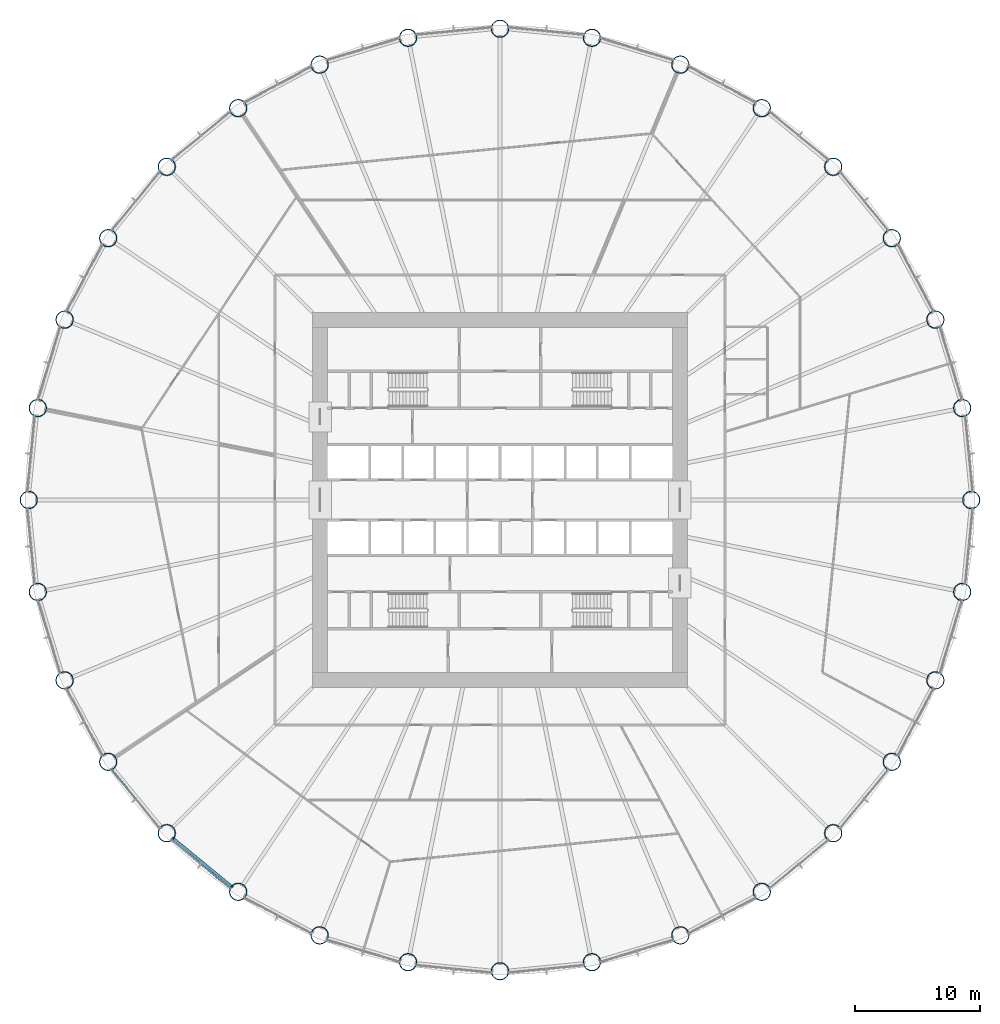
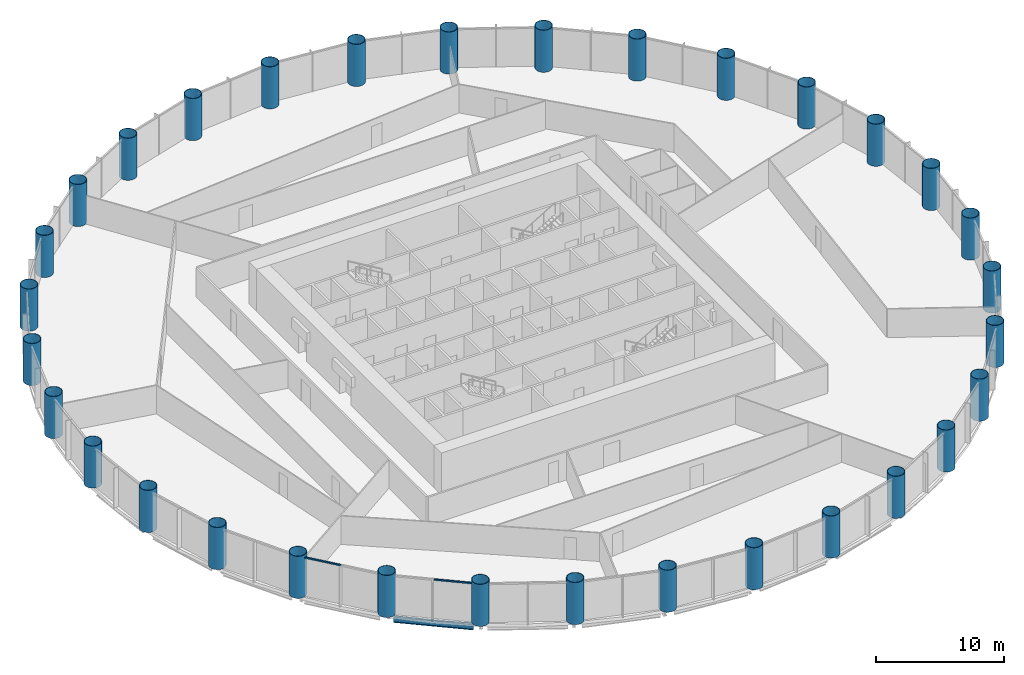
# One storey, part 1 of 14: 32 columns, 2 members, 1 beam, 2 elements without a shape of their own.
"""IFC4 building model written with IfcOpenShell, lengths in metres."""

from ifc_helpers import new_model, si_unit, direction, frame, origin, origin_2d, place, context, subcontext, project, spatial, rectangle, hollow_circle, i_section, extrude, material, material_profile, profile_set, type_object, element, aggregate, save


model = new_model("IFC4")

# Units and contexts
model_context = context("Model", 3, precision=1e-05, world=origin(), true_north=direction((0.0, 1.0)))
body_context = subcontext(model_context, "Body", "Model", "MODEL_VIEW")
ifc_project = project(units=[si_unit("LENGTHUNIT", "METRE"), si_unit("AREAUNIT", "SQUARE_METRE"), si_unit("VOLUMEUNIT", "CUBIC_METRE"), si_unit("PLANEANGLEUNIT", "RADIAN"), si_unit("MASSUNIT", "GRAM", prefix="KILO")], contexts=[model_context])

# Site, building, storey
site_placement = place(None, origin())
site = spatial("IfcSite", under=ifc_project, at=site_placement, CompositionType="ELEMENT")
building_placement = place(site_placement, origin())
building = spatial("IfcBuilding", under=site, at=building_placement, Name="Corvane Civic Tower", CompositionType="ELEMENT")
storey_placement = place(building_placement, frame((0.0, 0.0, 49.0)))
storey = spatial("IfcBuildingStorey", under=building, at=storey_placement, Name="L10", CompositionType="ELEMENT", Elevation=49.0)

# Columns
ifc_material_1 = material(Name="Steel ASTM A572 Gr 50", Category="steel")
ifc_material_profile_1 = material_profile(ifc_material_1, hollow_circle(Radius=0.699951171875, WallThickness=0.0400390625, at=origin_2d()), Name="CHS1400X40")
ifc_profile_set_1 = profile_set([ifc_material_profile_1], Name="Steel ASTM A572 Gr 50")
column_type = type_object("IfcColumnType", Name="COMPOSITE COLUMN CHS1400X40", PredefinedType="COLUMN", material=ifc_profile_set_1)
for number, where, z_axis, x_axis, name in (
    (1, (0.0, 37.699951171875, 0.0), (0.0, 0.0, 1.0), (1.0, 0.0, 0.0), "COL-L10-A01"),
    (2, (7.35498046875, 36.9755859375, 0.0), (0.0, 0.0, 1.0), (1.0, 0.0, 0.0), "COL-L10-A02"),
    (3, (14.42724609375, 34.830322265625, 0.0), (0.0, 0.0, 1.0), (1.0, 0.0, 0.0), "COL-L10-A03"),
    (4, (20.945068359375, 31.346435546875, 0.0), (0.0, 0.0, 1.0), (1.0, 0.0, 0.0), "COL-L10-A04"),
    (5, (26.657958984375, 26.657958984375, 0.0), (0.0, 0.0, 1.0), (1.0, 0.0, 0.0), "COL-L10-A05"),
    (6, (31.346435546875, 20.945068359375, 0.0), (0.0, 0.0, 1.0), (1.0, 0.0, 0.0), "COL-L10-A06"),
    (7, (34.830322265625, 14.42724609375, 0.0), (0.0, 0.0, 1.0), (1.0, 0.0, 0.0), "COL-L10-A07"),
    (8, (36.9755859375, 7.35498046875, 0.0), (0.0, 0.0, 1.0), (1.0, 0.0, 0.0), "COL-L10-A08"),
    (9, (37.699951171875, 0.0, 0.0), (0.0, 0.0, 1.0), (1.0, 0.0, 0.0), "COL-L10-A09"),
    (10, (36.9755859375, -7.35498046875, 0.0), (0.0, 0.0, 1.0), (1.0, 0.0, 0.0), "COL-L10-A10"),
    (11, (34.830322265625, -14.42724609375, 0.0), (0.0, 0.0, 1.0), (1.0, 0.0, 0.0), "COL-L10-A11"),
    (12, (31.346435546875, -20.945068359375, 0.0), (0.0, 0.0, 1.0), (1.0, 0.0, 0.0), "COL-L10-A12"),
    (13, (26.657958984375, -26.657958984375, 0.0), (0.0, 0.0, 1.0), (1.0, 0.0, 0.0), "COL-L10-A13"),
    (14, (20.945068359375, -31.346435546875, 0.0), (0.0, 0.0, 1.0), (1.0, 0.0, 0.0), "COL-L10-A14"),
    (15, (14.42724609375, -34.830322265625, 0.0), (0.0, 0.0, 1.0), (1.0, 0.0, 0.0), "COL-L10-A15"),
    (16, (7.35498046875, -36.9755859375, 0.0), (0.0, 0.0, 1.0), (1.0, 0.0, 0.0), "COL-L10-A16"),
    (17, (0.0, -37.699951171875, 0.0), (0.0, 0.0, 1.0), (1.0, 0.0, 0.0), "COL-L10-A17"),
    (18, (-7.35498046875, -36.9755859375, 0.0), (0.0, 0.0, 1.0), (1.0, 0.0, 0.0), "COL-L10-A18"),
    (19, (-14.42724609375, -34.830322265625, 0.0), (0.0, 0.0, 1.0), (1.0, 0.0, 0.0), "COL-L10-A19"),
    (20, (-20.945068359375, -31.346435546875, 0.0), (0.0, 0.0, 1.0), (1.0, 0.0, 0.0), "COL-L10-A20"),
    (21, (-26.657958984375, -26.657958984375, 0.0), (0.0, 0.0, 1.0), (1.0, 0.0, 0.0), "COL-L10-A21"),
    (22, (-31.346435546875, -20.945068359375, 0.0), (0.0, 0.0, 1.0), (1.0, 0.0, 0.0), "COL-L10-A22"),
    (23, (-34.830322265625, -14.42724609375, 0.0), (0.0, 0.0, 1.0), (1.0, 0.0, 0.0), "COL-L10-A23"),
    (24, (-36.9755859375, -7.35498046875, 0.0), (0.0, 0.0, 1.0), (1.0, 0.0, 0.0), "COL-L10-A24"),
    (25, (-37.699951171875, 0.0, 0.0), (0.0, 0.0, 1.0), (1.0, 0.0, 0.0), "COL-L10-A25"),
    (26, (-36.9755859375, 7.35498046875, 0.0), (0.0, 0.0, 1.0), (1.0, 0.0, 0.0), "COL-L10-A26"),
    (27, (-34.830322265625, 14.42724609375, 0.0), (0.0, 0.0, 1.0), (1.0, 0.0, 0.0), "COL-L10-A27"),
    (28, (-31.346435546875, 20.945068359375, 0.0), (0.0, 0.0, 1.0), (1.0, 0.0, 0.0), "COL-L10-A28"),
    (29, (-26.657958984375, 26.657958984375, 0.0), (0.0, 0.0, 1.0), (1.0, 0.0, 0.0), "COL-L10-A29"),
    (30, (-20.945068359375, 31.346435546875, 0.0), (0.0, 0.0, 1.0), (1.0, 0.0, 0.0), "COL-L10-A30"),
    (31, (-14.42724609375, 34.830322265625, 0.0), (0.0, 0.0, 1.0), (1.0, 0.0, 0.0), "COL-L10-A31"),
    (32, (-7.35498046875, 36.9755859375, 0.0), (0.0, 0.0, 1.0), (1.0, 0.0, 0.0), "COL-L10-A32"),
):
    element("IfcColumn", number, at=place(storey_placement, frame(where, z_axis=z_axis, x_axis=x_axis)), inside=storey, type_object=column_type, Name=name, PredefinedType="COLUMN", context=body_context, shape_type="SweptSolid", body=[
        extrude(hollow_circle(Radius=0.699951171875, WallThickness=0.0400390625, at=origin_2d()), origin(), (0.0, 0.0, 1.0), 4.0),
    ])

# Beam
ifc_material_2 = material(Name="Steel ASTM A992 Gr 50", Category="steel")
ifc_material_profile_2 = material_profile(ifc_material_2, i_section(OverallWidth=0.209228515625, OverallDepth=0.533447265625, WebThickness=0.01025390625, FlangeThickness=0.015625, at=origin_2d()), Name="W21X62")
ifc_profile_set_2 = profile_set([ifc_material_profile_2], Name="Steel ASTM A992 Gr 50")
beam_type = type_object("IfcBeamType", Name="EDGE BEAM W21X62", PredefinedType="BEAM", material=ifc_profile_set_2)
beam_placement = place(storey_placement, frame((-21.3701171875, -30.99755859375, -0.566650390625), z_axis=(-0.773015785286, 0.634386787141, 0.0), x_axis=(-0.634386787141, -0.773015785286, 0.0)))
element("IfcBeam", 33, at=beam_placement, inside=storey, type_object=beam_type, Name="BM-L10-E20", PredefinedType="BEAM", context=body_context, shape_type="SweptSolid", body=[
    extrude(i_section(OverallWidth=0.209228515625, OverallDepth=0.533447265625, WebThickness=0.01025390625, FlangeThickness=0.015625, at=origin_2d()), origin(), (0.0, 0.0, 1.0), 6.290771484375),
])

# Curtain wall, member
ifc_material_3 = material(Name="Anodised aluminium bronze", Category="aluminium")
curtain_wall_type = type_object("IfcCurtainWallType", Name="TOWER CW-T1 STICK CURTAIN WALL", PredefinedType="NOTDEFINED", material=ifc_material_3)
curtain_wall_1_placement = place(storey_placement, origin())
curtain_wall_1 = element("IfcCurtainWall", 34, at=curtain_wall_1_placement, inside=storey, type_object=curtain_wall_type, Name="Curtain wall CW-T1 L10 bay 20", PredefinedType="NOTDEFINED")
ifc_material_4 = material(Name="Anodised aluminium bronze", Category="aluminium")
ifc_material_profile_3 = material_profile(ifc_material_4, rectangle(XDim=0.139892578125, YDim=0.1201171875, at=origin_2d()), Name="TOWER CW-T1 TRANSOM 140x120")
ifc_profile_set_3 = profile_set([ifc_material_profile_3], Name="Anodised aluminium bronze")
member_type = type_object("IfcMemberType", Name="TOWER CW-T1 TRANSOM 140x120", PredefinedType="USERDEFINED", material=ifc_profile_set_3)
member_1_placement = place(storey_placement, frame((-21.55859375, -31.074462890625, 3.68994140625), z_axis=(-0.773041738279, 0.634355161466, 0.0), x_axis=(-0.634355161466, -0.773041738279, 0.0)))
member_1 = element("IfcMember", 35, at=member_1_placement, type_object=member_type, Name="Transom CW-T1 L10 20.1", ObjectType="TRANSOM", PredefinedType="USERDEFINED", context=body_context, shape_type="SweptSolid", body=[
    extrude(rectangle(XDim=0.139892578125, YDim=0.1201171875, at=origin_2d()), origin(), (0.0, 0.0, 1.0), 3.008544921875),
])
aggregate(curtain_wall_1, [member_1])

curtain_wall_2_placement = place(storey_placement, origin())
curtain_wall_2 = element("IfcCurtainWall", 36, at=curtain_wall_2_placement, inside=storey, type_object=curtain_wall_type, Name="Curtain wall CW-T1 L10 bay 21", PredefinedType="NOTDEFINED")
member_2_placement = place(storey_placement, frame((-29.166015625, -23.88427734375, 3.68994140625), z_axis=(-0.634355161466, 0.773041738279, 0.0), x_axis=(-0.773041738279, -0.634355161466, 0.0)))
member_2 = element("IfcMember", 37, at=member_2_placement, type_object=member_type, Name="Transom CW-T1 L10 21.2", ObjectType="TRANSOM", PredefinedType="USERDEFINED", context=body_context, shape_type="SweptSolid", body=[
    extrude(rectangle(XDim=0.139892578125, YDim=0.1201171875, at=origin_2d()), origin(), (0.0, 0.0, 1.0), 3.008544921875),
])
aggregate(curtain_wall_2, [member_2])

save(model, "model.ifc")
